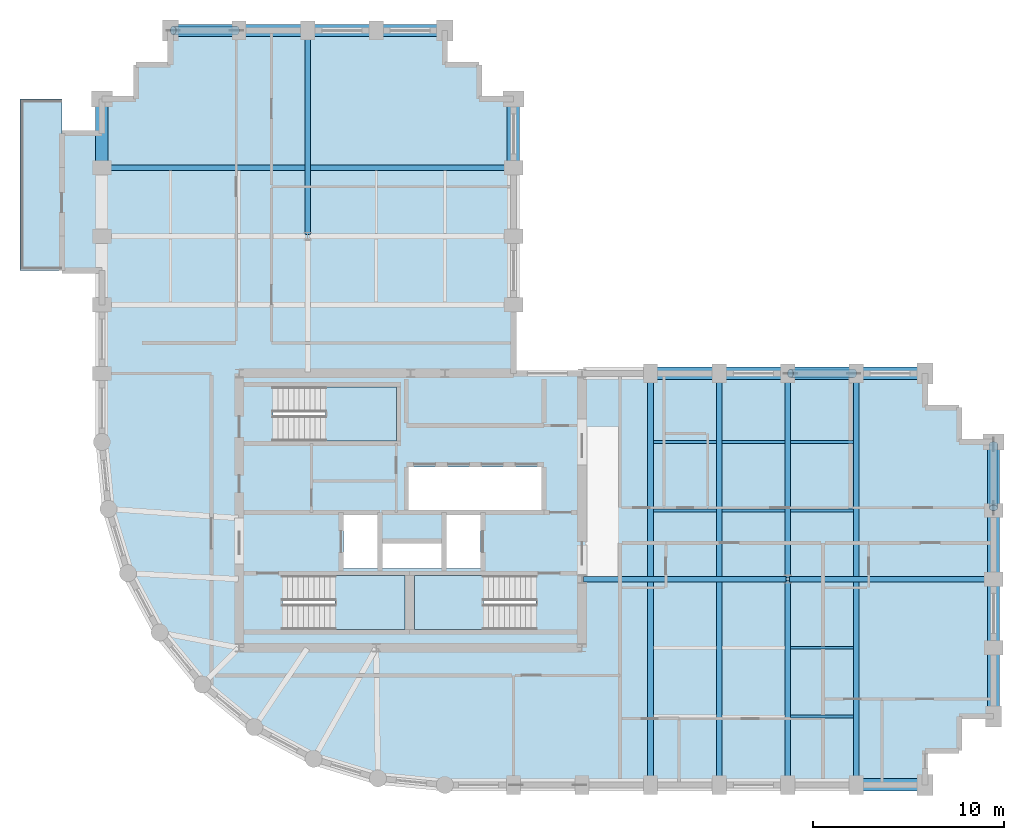
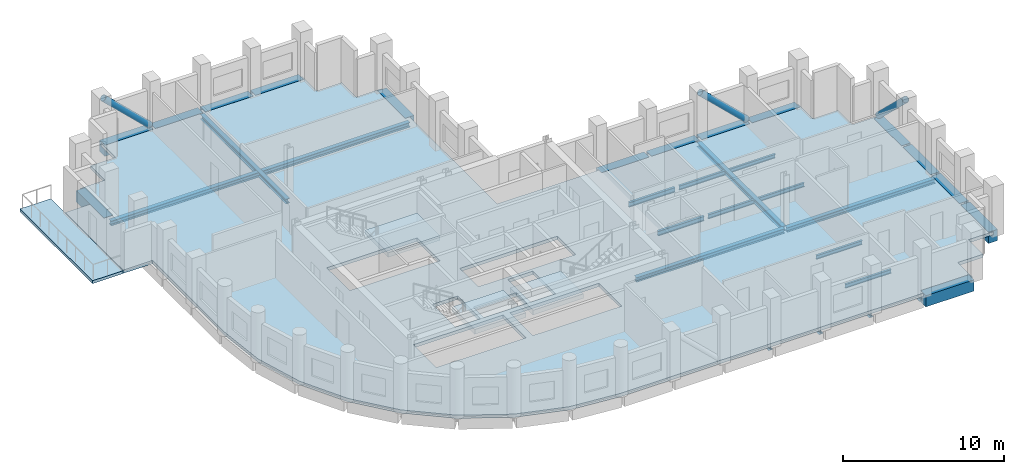
# One storey, part 2 of 9: 32 beams, 5 slabs, 3 members, 3 elements without a shape of their own.
"""IFC4 building model written with IfcOpenShell, lengths in metres."""

from ifc_helpers import new_model, si_unit, direction, frame, origin, origin_2d, place, context, subcontext, project, spatial, polyline, rectangle, hollow_circle, i_section, outline, extrude, material, layer, layer_set, material_profile, profile_set, type_object, element, aggregate, save


model = new_model("IFC4")

# Units and contexts
model_context = context("Model", 3, precision=1e-05, world=origin(), true_north=direction((0.0, 1.0)))
body_context = subcontext(model_context, "Body", "Model", "MODEL_VIEW")
ifc_project = project(units=[si_unit("LENGTHUNIT", "METRE"), si_unit("AREAUNIT", "SQUARE_METRE"), si_unit("VOLUMEUNIT", "CUBIC_METRE"), si_unit("PLANEANGLEUNIT", "RADIAN"), si_unit("MASSUNIT", "GRAM", prefix="KILO")], contexts=[model_context])

# Site, building, storey
site_placement = place(None, origin())
site = spatial("IfcSite", under=ifc_project, at=site_placement, CompositionType="ELEMENT")
building_placement = place(site_placement, origin())
building = spatial("IfcBuilding", under=site, at=building_placement, Name="Solnavia Interchange Tower", CompositionType="ELEMENT")
storey_placement = place(building_placement, frame((0.0, 0.0, 154.199951171875)))
storey = spatial("IfcBuildingStorey", under=building, at=storey_placement, Name="L38", CompositionType="ELEMENT", Elevation=154.199951171875)

# Beams
ifc_material_1 = material(Name="Steel S460", Category="steel")
ifc_material_profile_1 = material_profile(ifc_material_1, i_section(OverallWidth=0.300048828125, OverallDepth=0.360107421875, WebThickness=0.012451171875, FlangeThickness=0.0224609375, FilletRadius=0.027099609375, at=origin_2d()), Name="HEB 360")
ifc_profile_set_1 = profile_set([ifc_material_profile_1], Name="Steel S460")
beam_type_1 = type_object("IfcBeamType", Name="Beam-Girder-HEB360", PredefinedType="BEAM", material=ifc_profile_set_1)
beam_1_placement = place(storey_placement, frame((32.47998046875, 14.39990234375, -0.429931640625), z_axis=(1.0, 0.0, 0.0), x_axis=(0.0, 1.0, 0.0)))
element("IfcBeam", 1, at=beam_1_placement, inside=storey, type_object=beam_type_1, Name="GRD-L38-ES01 East wing spine girder", PredefinedType="BEAM", context=body_context, shape_type="SweptSolid", body=[
    extrude(i_section(OverallWidth=0.300048828125, OverallDepth=0.360107421875, WebThickness=0.012451171875, FlangeThickness=0.0224609375, FilletRadius=0.027099609375, at=origin_2d()), origin(), (0.0, 0.0, 1.0), 10.64013671875),
])
beam_2_placement = place(storey_placement, frame((43.280029296875, 14.39990234375, -0.429931640625), z_axis=(1.0, 0.0, 0.0), x_axis=(0.0, 1.0, 0.0)))
element("IfcBeam", 2, at=beam_2_placement, inside=storey, type_object=beam_type_1, Name="GRD-L38-ES02 East wing spine girder", PredefinedType="BEAM", context=body_context, shape_type="SweptSolid", body=[
    extrude(i_section(OverallWidth=0.300048828125, OverallDepth=0.360107421875, WebThickness=0.012451171875, FlangeThickness=0.0224609375, FilletRadius=0.027099609375, at=origin_2d()), origin(), (0.0, 0.0, 1.0), 10.639892578125),
])
for number, where, z_axis, x_axis, name in (
    (3, (39.60009765625, 3.679931640625, -0.429931640625), (0.0, 1.0, 0.0), (-1.0, 0.0, 0.0), "GRD-L38-EW04 East wing primary floor girder"),
    (4, (46.800048828125, 3.679931640625, -0.429931640625), (0.0, 1.0, 0.0), (-1.0, 0.0, 0.0), "GRD-L38-EW07 East wing primary floor girder"),
):
    element("IfcBeam", number, at=place(storey_placement, frame(where, z_axis=z_axis, x_axis=x_axis)), inside=storey, type_object=beam_type_1, Name=name, PredefinedType="BEAM", context=body_context, shape_type="SweptSolid", body=[
        extrude(i_section(OverallWidth=0.300048828125, OverallDepth=0.360107421875, WebThickness=0.012451171875, FlangeThickness=0.0224609375, FilletRadius=0.027099609375, at=origin_2d()), origin(), (0.0, 0.0, 1.0), 21.440185546875),
    ])
beam_3_placement = place(storey_placement, frame((18.0, 32.47998046875, -0.429931640625), z_axis=(0.0, 1.0, 0.0), x_axis=(-1.0, 0.0, 0.0)))
element("IfcBeam", 5, at=beam_3_placement, inside=storey, type_object=beam_type_1, Name="GRD-L38-NS09 North wing spine girder", PredefinedType="BEAM", context=body_context, shape_type="SweptSolid", body=[
    extrude(i_section(OverallWidth=0.300048828125, OverallDepth=0.360107421875, WebThickness=0.012451171875, FlangeThickness=0.0224609375, FilletRadius=0.027099609375, at=origin_2d()), origin(), (0.0, 0.0, 1.0), 10.64013671875),
])
beam_4_placement = place(storey_placement, frame((7.280029296875, 36.0, -0.429931640625), z_axis=(1.0, 0.0, 0.0), x_axis=(0.0, 1.0, 0.0)))
element("IfcBeam", 6, at=beam_4_placement, inside=storey, type_object=beam_type_1, Name="GRD-L38-NW13 North wing primary floor girder", PredefinedType="BEAM", context=body_context, shape_type="SweptSolid", body=[
    extrude(i_section(OverallWidth=0.300048828125, OverallDepth=0.360107421875, WebThickness=0.012451171875, FlangeThickness=0.0224609375, FilletRadius=0.027099609375, at=origin_2d()), origin(), (0.0, 0.0, 1.0), 21.43994140625),
])
ifc_material_2 = material(Name="Steel S355", Category="steel")
ifc_material_profile_2 = material_profile(ifc_material_2, i_section(OverallWidth=0.14990234375, OverallDepth=0.300048828125, WebThickness=0.007080078125, FlangeThickness=0.0107421875, FilletRadius=0.014892578125, at=origin_2d()), Name="IPE 300")
ifc_profile_set_2 = profile_set([ifc_material_profile_2], Name="Steel S355")
beam_type_2 = type_object("IfcBeamType", Name="Beam-Joist-IPE300", PredefinedType="JOIST", material=ifc_profile_set_2)
for number, where, z_axis, x_axis, name in (
    (7, (43.35009765625, 7.199951171875, -0.39990234375), (1.0, 0.0, 0.0), (0.0, 1.0, 0.0), "JST-L38-E03 East wing secondary joist"),
    (8, (43.35009765625, 10.800048828125, -0.39990234375), (1.0, 0.0, 0.0), (0.0, 1.0, 0.0), "JST-L38-E06 East wing secondary joist"),
    (9, (43.35009765625, 18.0, -0.39990234375), (1.0, 0.0, 0.0), (0.0, 1.0, 0.0), "JST-L38-E09 East wing secondary joist"),
    (10, (43.35009765625, 21.60009765625, -0.39990234375), (1.0, 0.0, 0.0), (0.0, 1.0, 0.0), "JST-L38-E12 East wing secondary joist"),
):
    element("IfcBeam", number, at=place(storey_placement, frame(where, z_axis=z_axis, x_axis=x_axis)), inside=storey, type_object=beam_type_2, Name=name, PredefinedType="JOIST", context=body_context, shape_type="SweptSolid", body=[
        extrude(i_section(OverallWidth=0.14990234375, OverallDepth=0.300048828125, WebThickness=0.007080078125, FlangeThickness=0.0107421875, FilletRadius=0.014892578125, at=origin_2d()), origin(), (0.0, 0.0, 1.0), 3.2998046875),
    ])
ifc_material_profile_3 = material_profile(ifc_material_2, i_section(OverallWidth=0.159912109375, OverallDepth=0.330078125, WebThickness=0.007568359375, FlangeThickness=0.011474609375, FilletRadius=0.01806640625, at=origin_2d()), Name="IPE 330")
ifc_profile_set_3 = profile_set([ifc_material_profile_3], Name="Steel S355")
beam_type_3 = type_object("IfcBeamType", Name="Beam-Joist-IPE330", PredefinedType="JOIST", material=ifc_profile_set_3)
for number, where, z_axis, x_axis, name in (
    (11, (39.75, 18.0, -0.4150390625), (1.0, 0.0, 0.0), (0.0, 1.0, 0.0), "JST-L38-E08 East wing secondary joist"),
    (12, (39.75, 21.60009765625, -0.4150390625), (1.0, 0.0, 0.0), (0.0, 1.0, 0.0), "JST-L38-E11 East wing secondary joist"),
):
    element("IfcBeam", number, at=place(storey_placement, frame(where, z_axis=z_axis, x_axis=x_axis)), inside=storey, type_object=beam_type_3, Name=name, PredefinedType="JOIST", context=body_context, shape_type="SweptSolid", body=[
        extrude(i_section(OverallWidth=0.159912109375, OverallDepth=0.330078125, WebThickness=0.007568359375, FlangeThickness=0.011474609375, FilletRadius=0.01806640625, at=origin_2d()), origin(), (0.0, 0.0, 1.0), 3.300048828125),
    ])
ifc_material_profile_4 = material_profile(ifc_material_2, i_section(OverallWidth=0.169921875, OverallDepth=0.360107421875, WebThickness=0.008056640625, FlangeThickness=0.0126953125, FilletRadius=0.01806640625, at=origin_2d()), Name="IPE 360")
ifc_profile_set_4 = profile_set([ifc_material_profile_4], Name="Steel S355")
beam_type_4 = type_object("IfcBeamType", Name="Beam-Joist-IPE360", PredefinedType="JOIST", material=ifc_profile_set_4)
for number, where, z_axis, x_axis, name in (
    (13, (36.14990234375, 18.0, -0.429931640625), (1.0, 0.0, 0.0), (0.0, 1.0, 0.0), "JST-L38-E07 East wing secondary joist"),
    (14, (36.14990234375, 21.60009765625, -0.429931640625), (1.0, 0.0, 0.0), (0.0, 1.0, 0.0), "JST-L38-E10 East wing secondary joist"),
):
    element("IfcBeam", number, at=place(storey_placement, frame(where, z_axis=z_axis, x_axis=x_axis)), inside=storey, type_object=beam_type_4, Name=name, PredefinedType="JOIST", context=body_context, shape_type="SweptSolid", body=[
        extrude(i_section(OverallWidth=0.169921875, OverallDepth=0.360107421875, WebThickness=0.008056640625, FlangeThickness=0.0126953125, FilletRadius=0.01806640625, at=origin_2d()), origin(), (0.0, 0.0, 1.0), 3.300048828125),
    ])
ifc_material_profile_5 = material_profile(ifc_material_2, i_section(OverallWidth=0.300048828125, OverallDepth=0.31005859375, WebThickness=0.009033203125, FlangeThickness=0.015380859375, FilletRadius=0.027099609375, at=origin_2d()), Name="HEA 320")
ifc_profile_set_5 = profile_set([ifc_material_profile_5], Name="Steel S355")
beam_type_5 = type_object("IfcBeamType", Name="Beam-Primary-HEA320", PredefinedType="BEAM", material=ifc_profile_set_5)
beam_5_placement = place(storey_placement, frame((36.0, 3.679931640625, -0.405029296875), z_axis=(0.0, 1.0, 0.0), x_axis=(-1.0, 0.0, 0.0)))
element("IfcBeam", 15, at=beam_5_placement, inside=storey, type_object=beam_type_5, Name="GRD-L38-EW03 East wing primary floor girder", PredefinedType="BEAM", context=body_context, shape_type="SweptSolid", body=[
    extrude(i_section(OverallWidth=0.300048828125, OverallDepth=0.31005859375, WebThickness=0.009033203125, FlangeThickness=0.015380859375, FilletRadius=0.027099609375, at=origin_2d()), origin(), (0.0, 0.0, 1.0), 21.440185546875),
])
ifc_material_profile_6 = material_profile(ifc_material_2, i_section(OverallWidth=0.300048828125, OverallDepth=0.35009765625, WebThickness=0.010009765625, FlangeThickness=0.017578125, FilletRadius=0.027099609375, at=origin_2d()), Name="HEA 360")
ifc_profile_set_6 = profile_set([ifc_material_profile_6], Name="Steel S355")
beam_type_6 = type_object("IfcBeamType", Name="Beam-Primary-HEA360", PredefinedType="BEAM", material=ifc_profile_set_6)
for number, where, z_axis, x_axis, name in (
    (16, (43.199951171875, 3.679931640625, -0.425048828125), (0.0, 1.0, 0.0), (-1.0, 0.0, 0.0), "GRD-L38-EW05 East wing primary floor girder"),
    (17, (43.199951171875, 14.47998046875, -0.425048828125), (0.0, 1.0, 0.0), (-1.0, 0.0, 0.0), "GRD-L38-EW06 East wing primary floor girder"),
):
    element("IfcBeam", number, at=place(storey_placement, frame(where, z_axis=z_axis, x_axis=x_axis)), inside=storey, type_object=beam_type_6, Name=name, PredefinedType="BEAM", context=body_context, shape_type="SweptSolid", body=[
        extrude(i_section(OverallWidth=0.300048828125, OverallDepth=0.35009765625, WebThickness=0.010009765625, FlangeThickness=0.017578125, FilletRadius=0.027099609375, at=origin_2d()), origin(), (0.0, 0.0, 1.0), 10.64013671875),
    ])
ifc_material_3 = material(Name="Concrete C50/60", Category="concrete")
ifc_material_profile_7 = material_profile(ifc_material_3, rectangle(XDim=0.64990234375, YDim=0.85009765625, at=origin_2d()), Name="RC 650x850")
ifc_profile_set_7 = profile_set([ifc_material_profile_7], Name="Concrete C50/60")
beam_type_7 = type_object("IfcBeamType", Name="Beam-Spandrel-RC650x850", PredefinedType="SPANDREL", material=ifc_profile_set_7)
beam_6_placement = place(storey_placement, frame((46.8798828125, 3.60009765625, -0.425048828125), z_axis=(1.0, 0.0, 0.0), x_axis=(0.0, 1.0, 0.0)))
element("IfcBeam", 18, at=beam_6_placement, inside=storey, type_object=beam_type_7, Name="SPB-L38-15 Framed-tube perimeter spandrel beam", PredefinedType="SPANDREL", context=body_context, shape_type="SweptSolid", body=[
    extrude(rectangle(XDim=0.64990234375, YDim=0.85009765625, at=origin_2d()), origin(), (0.0, 0.0, 1.0), 3.440185546875),
])
beam_7_placement = place(storey_placement, frame((54.0, 7.280029296875, -0.425048828125), z_axis=(0.0, 1.0, 0.0), x_axis=(-1.0, 0.0, 0.0)))
element("IfcBeam", 19, at=beam_7_placement, inside=storey, type_object=beam_type_7, Name="SPB-L38-16 Framed-tube perimeter spandrel beam", PredefinedType="SPANDREL", context=body_context, shape_type="SweptSolid", body=[
    extrude(rectangle(XDim=0.64990234375, YDim=0.85009765625, at=origin_2d()), origin(), (0.0, 0.0, 1.0), 3.43994140625),
])
beam_8_placement = place(storey_placement, frame((54.0, 10.8798828125, -0.425048828125), z_axis=(0.0, 1.0, 0.0), x_axis=(-1.0, 0.0, 0.0)))
element("IfcBeam", 20, at=beam_8_placement, inside=storey, type_object=beam_type_7, Name="SPB-L38-17 Framed-tube perimeter spandrel beam", PredefinedType="SPANDREL", context=body_context, shape_type="SweptSolid", body=[
    extrude(rectangle(XDim=0.64990234375, YDim=0.85009765625, at=origin_2d()), origin(), (0.0, 0.0, 1.0), 3.440185546875),
])
for number, where, z_axis, x_axis, name in (
    (21, (54.0, 14.47998046875, -0.425048828125), (0.0, 1.0, 0.0), (-1.0, 0.0, 0.0), "SPB-L38-18 Framed-tube perimeter spandrel beam"),
    (22, (54.0, 18.080078125, -0.425048828125), (0.0, 1.0, 0.0), (-1.0, 0.0, 0.0), "SPB-L38-19 Framed-tube perimeter spandrel beam"),
):
    element("IfcBeam", number, at=place(storey_placement, frame(where, z_axis=z_axis, x_axis=x_axis)), inside=storey, type_object=beam_type_7, Name=name, PredefinedType="SPANDREL", context=body_context, shape_type="SweptSolid", body=[
        extrude(rectangle(XDim=0.64990234375, YDim=0.85009765625, at=origin_2d()), origin(), (0.0, 0.0, 1.0), 3.43994140625),
    ])
beam_9_placement = place(storey_placement, frame((50.320068359375, 25.199951171875, -0.425048828125), z_axis=(-1.0, 0.0, 0.0), x_axis=(0.0, -1.0, 0.0)))
element("IfcBeam", 23, at=beam_9_placement, inside=storey, type_object=beam_type_7, Name="SPB-L38-20 Framed-tube perimeter spandrel beam", PredefinedType="SPANDREL", context=body_context, shape_type="SweptSolid", body=[
    extrude(rectangle(XDim=0.64990234375, YDim=0.85009765625, at=origin_2d()), origin(), (0.0, 0.0, 1.0), 3.440185546875),
])
beam_10_placement = place(storey_placement, frame((46.719970703125, 25.199951171875, -0.425048828125), z_axis=(-1.0, 0.0, 0.0), x_axis=(0.0, -1.0, 0.0)))
element("IfcBeam", 24, at=beam_10_placement, inside=storey, type_object=beam_type_7, Name="SPB-L38-21 Framed-tube perimeter spandrel beam", PredefinedType="SPANDREL", context=body_context, shape_type="SweptSolid", body=[
    extrude(rectangle(XDim=0.64990234375, YDim=0.85009765625, at=origin_2d()), origin(), (0.0, 0.0, 1.0), 3.43994140625),
])
beam_11_placement = place(storey_placement, frame((43.1201171875, 25.199951171875, -0.425048828125), z_axis=(-1.0, 0.0, 0.0), x_axis=(0.0, -1.0, 0.0)))
element("IfcBeam", 25, at=beam_11_placement, inside=storey, type_object=beam_type_7, Name="SPB-L38-22 Framed-tube perimeter spandrel beam", PredefinedType="SPANDREL", context=body_context, shape_type="SweptSolid", body=[
    extrude(rectangle(XDim=0.64990234375, YDim=0.85009765625, at=origin_2d()), origin(), (0.0, 0.0, 1.0), 3.440185546875),
])
for number, where, z_axis, x_axis, name in (
    (26, (39.52001953125, 25.199951171875, -0.425048828125), (-1.0, 0.0, 0.0), (0.0, -1.0, 0.0), "SPB-L38-23 Framed-tube perimeter spandrel beam"),
    (27, (28.800048828125, 36.080078125, -0.425048828125), (0.0, 1.0, 0.0), (-1.0, 0.0, 0.0), "SPB-L38-27 Framed-tube perimeter spandrel beam"),
):
    element("IfcBeam", number, at=place(storey_placement, frame(where, z_axis=z_axis, x_axis=x_axis)), inside=storey, type_object=beam_type_7, Name=name, PredefinedType="SPANDREL", context=body_context, shape_type="SweptSolid", body=[
        extrude(rectangle(XDim=0.64990234375, YDim=0.85009765625, at=origin_2d()), origin(), (0.0, 0.0, 1.0), 3.43994140625),
    ])
beam_12_placement = place(storey_placement, frame((25.1201171875, 43.199951171875, -0.425048828125), z_axis=(-1.0, 0.0, 0.0), x_axis=(0.0, -1.0, 0.0)))
element("IfcBeam", 28, at=beam_12_placement, inside=storey, type_object=beam_type_7, Name="SPB-L38-28 Framed-tube perimeter spandrel beam", PredefinedType="SPANDREL", context=body_context, shape_type="SweptSolid", body=[
    extrude(rectangle(XDim=0.64990234375, YDim=0.85009765625, at=origin_2d()), origin(), (0.0, 0.0, 1.0), 3.440185546875),
])
for number, where, z_axis, x_axis, name in (
    (29, (21.52001953125, 43.199951171875, -0.425048828125), (-1.0, 0.0, 0.0), (0.0, -1.0, 0.0), "SPB-L38-29 Framed-tube perimeter spandrel beam"),
    (30, (17.919921875, 43.199951171875, -0.425048828125), (-1.0, 0.0, 0.0), (0.0, -1.0, 0.0), "SPB-L38-30 Framed-tube perimeter spandrel beam"),
):
    element("IfcBeam", number, at=place(storey_placement, frame(where, z_axis=z_axis, x_axis=x_axis)), inside=storey, type_object=beam_type_7, Name=name, PredefinedType="SPANDREL", context=body_context, shape_type="SweptSolid", body=[
        extrude(rectangle(XDim=0.64990234375, YDim=0.85009765625, at=origin_2d()), origin(), (0.0, 0.0, 1.0), 3.43994140625),
    ])
beam_13_placement = place(storey_placement, frame((14.320068359375, 43.199951171875, -0.425048828125), z_axis=(-1.0, 0.0, 0.0), x_axis=(0.0, -1.0, 0.0)))
element("IfcBeam", 31, at=beam_13_placement, inside=storey, type_object=beam_type_7, Name="SPB-L38-31 Framed-tube perimeter spandrel beam", PredefinedType="SPANDREL", context=body_context, shape_type="SweptSolid", body=[
    extrude(rectangle(XDim=0.64990234375, YDim=0.85009765625, at=origin_2d()), origin(), (0.0, 0.0, 1.0), 3.440185546875),
])
beam_14_placement = place(storey_placement, frame((7.199951171875, 39.52001953125, -0.425048828125), z_axis=(0.0, -1.0, 0.0), x_axis=(1.0, 0.0, 0.0)))
element("IfcBeam", 32, at=beam_14_placement, inside=storey, type_object=beam_type_7, Name="SPB-L38-32 Framed-tube perimeter spandrel beam", PredefinedType="SPANDREL", context=body_context, shape_type="SweptSolid", body=[
    extrude(rectangle(XDim=0.64990234375, YDim=0.85009765625, at=origin_2d()), origin(), (0.0, 0.0, 1.0), 3.43994140625),
])

# Members
ifc_material_profile_8 = material_profile(ifc_material_1, hollow_circle(Radius=0.228515625, WallThickness=0.02001953125, at=origin_2d()), Name="CHS 457x20")
ifc_profile_set_8 = profile_set([ifc_material_profile_8], Name="Steel S460")
member_type = type_object("IfcMemberType", Name="Brace-Perim-CHS457", PredefinedType="BRACE", material=ifc_profile_set_8)
for number, where, z_axis, x_axis, name in (
    (33, (54.0, 21.4599609375, 0.179931640625), (0.0, -0.721070427335, 0.692861774688), (1.0, 0.0, 0.0), "BRC-L38-02 Perimeter tube diagonal brace"),
    (34, (14.260009765625, 43.199951171875, 0.179931640625), (-0.721070427335, 0.0, 0.692861774688), (0.0, -1.0, 0.0), "BRC-L38-03 Perimeter tube diagonal brace"),
    (35, (46.659912109375, 25.199951171875, 0.179931640625), (-0.721044971413, 0.0, 0.692888266028), (0.0, -1.0, 0.0), "BRC-L38-04 Perimeter tube diagonal brace"),
):
    element("IfcMember", number, at=place(storey_placement, frame(where, z_axis=z_axis, x_axis=x_axis)), inside=storey, type_object=member_type, Name=name, PredefinedType="BRACE", context=body_context, shape_type="SweptSolid", body=[
        extrude(hollow_circle(Radius=0.228515625, WallThickness=0.02001953125, at=origin_2d()), origin(), (0.0, 0.0, 1.0), 4.604248046875),
    ])

# Stair, slab
ifc_material_4 = material(Name="Concrete C40/50", Category="concrete")
stair_type = type_object("IfcStairType", Name="Stair-Dogleg-RC", PredefinedType="HALF_TURN_STAIR", material=ifc_material_4)
stair_1_placement = place(storey_placement, origin())
stair_1 = element("IfcStair", 36, at=stair_1_placement, inside=storey, type_object=stair_type, Name="L38 Core exit stair 1", PredefinedType="HALF_TURN_STAIR")
ifc_layer_1 = layer(ifc_material_4, 0.35009765625)
ifc_layer_set_1 = layer_set([ifc_layer_1], Name="Concrete C40/50")
slab_type_1 = type_object("IfcSlabType", Name="Slab-StairLanding-350", PredefinedType="LANDING", material=ifc_layer_set_1)
slab_1_placement = place(storey_placement, frame((0.0, 0.0, 1.550048828125)))
slab_1 = element("IfcSlab", 37, at=slab_1_placement, type_object=slab_type_1, Name="ST-1 landing 1", PredefinedType="LANDING", context=body_context, shape_type="SweptSolid", body=[
    extrude(outline(polyline([(19.427978515625, 11.75), (23.10009765625, 11.75), (23.10009765625, 14.590087890625), (19.427978515625, 14.590087890625), (19.427978515625, 11.75)])), origin(), (0.0, 0.0, 1.0), 0.35009765625),
])
aggregate(stair_1, [slab_1])

stair_2_placement = place(storey_placement, origin())
stair_2 = element("IfcStair", 38, at=stair_2_placement, inside=storey, type_object=stair_type, Name="L38 Core exit stair 2", PredefinedType="HALF_TURN_STAIR")
slab_2_placement = place(storey_placement, frame((0.0, 0.0, 1.550048828125)))
slab_2 = element("IfcSlab", 39, at=slab_2_placement, type_object=slab_type_1, Name="ST-2 landing 1", PredefinedType="LANDING", context=body_context, shape_type="SweptSolid", body=[
    extrude(outline(polyline([(23.60009765625, 11.75), (27.221923828125, 11.75), (27.221923828125, 14.590087890625), (23.60009765625, 14.590087890625), (23.60009765625, 11.75)])), origin(), (0.0, 0.0, 1.0), 0.35009765625),
])
aggregate(stair_2, [slab_2])

stair_3_placement = place(storey_placement, origin())
stair_3 = element("IfcStair", 40, at=stair_3_placement, inside=storey, type_object=stair_type, Name="L38 Core exit stair 3", PredefinedType="HALF_TURN_STAIR")
slab_3_placement = place(storey_placement, frame((0.0, 0.0, 1.550048828125)))
slab_3 = element("IfcSlab", 41, at=slab_3_placement, type_object=slab_type_1, Name="ST-3 landing 1", PredefinedType="LANDING", context=body_context, shape_type="SweptSolid", body=[
    extrude(outline(polyline([(18.927978515625, 21.64990234375), (22.64990234375, 21.64990234375), (22.64990234375, 24.489990234375), (18.927978515625, 24.489990234375), (18.927978515625, 21.64990234375)])), origin(), (0.0, 0.0, 1.0), 0.35009765625),
])
aggregate(stair_3, [slab_3])

# Slabs
ifc_layer_2 = layer(ifc_material_4, 0.219970703125)
ifc_layer_set_2 = layer_set([ifc_layer_2], Name="Concrete C40/50")
slab_type_2 = type_object("IfcSlabType", Name="Slab-Terrace-220", PredefinedType="FLOOR", material=ifc_layer_set_2)
slab_4_placement = place(storey_placement, frame((0.0, 0.0, -0.260009765625)))
element("IfcSlab", 42, at=slab_4_placement, inside=storey, type_object=slab_type_2, Name="TER-L38-01 Outdoor spiral terrace slab", PredefinedType="FLOOR", context=body_context, shape_type="SweptSolid", body=[
    extrude(outline(polyline([(2.89990234375, 30.60009765625), (5.10009765625, 30.60009765625), (5.10009765625, 39.60009765625), (2.89990234375, 39.60009765625), (2.89990234375, 30.60009765625)])), origin(), (0.0, 0.0, 1.0), 0.219970703125),
])
ifc_layer_3 = layer(ifc_material_4, 0.25)
ifc_layer_set_3 = layer_set([ifc_layer_3], Name="Concrete C40/50")
slab_type_3 = type_object("IfcSlabType", Name="Slab-Tower-250", PredefinedType="FLOOR", material=ifc_layer_set_3)
slab_5_placement = place(storey_placement, frame((0.0, 0.0, -0.25)))
element("IfcSlab", 43, at=slab_5_placement, inside=storey, type_object=slab_type_3, Name="SLB-L38-01 Structural floor slab", PredefinedType="FLOOR", context=body_context, shape_type="SweptSolid", body=[
    extrude(outline(polyline([(25.199951171875, 3.60009765625), (50.39990234375, 3.60009765625), (50.39990234375, 5.39990234375), (52.199951171875, 5.39990234375), (52.199951171875, 7.199951171875), (54.0, 7.199951171875), (54.0, 21.60009765625), (52.199951171875, 21.60009765625), (52.199951171875, 23.39990234375), (50.39990234375, 23.39990234375), (50.39990234375, 25.199951171875), (28.800048828125, 25.199951171875), (28.800048828125, 39.60009765625), (27.0, 39.60009765625), (27.0, 41.39990234375), (25.199951171875, 41.39990234375), (25.199951171875, 43.199951171875), (10.800048828125, 43.199951171875), (10.800048828125, 41.39990234375), (9.0, 41.39990234375), (9.0, 39.60009765625), (7.199951171875, 39.60009765625), (7.199951171875, 37.800048828125), (5.10009765625, 37.800048828125), (5.10009765625, 30.60009765625), (7.199951171875, 30.60009765625), (7.199951171875, 21.60009765625), (7.5458984375, 18.087890625), (8.570068359375, 14.7119140625), (10.23388671875, 11.60009765625), (12.471923828125, 8.8720703125), (15.199951171875, 6.634033203125), (18.31201171875, 4.969970703125), (21.68798828125, 3.946044921875), (25.199951171875, 3.60009765625)]), holes=[polyline([(16.675048828125, 11.75), (23.10009765625, 11.75), (23.10009765625, 14.590087890625), (16.675048828125, 14.590087890625), (16.675048828125, 11.75)]), polyline([(23.60009765625, 11.75), (29.97509765625, 11.75), (29.97509765625, 14.590087890625), (23.60009765625, 14.590087890625), (23.60009765625, 11.75)]), polyline([(16.175048828125, 21.64990234375), (22.64990234375, 21.64990234375), (22.64990234375, 24.489990234375), (16.175048828125, 24.489990234375), (16.175048828125, 21.64990234375)]), polyline([(19.8798828125, 14.9599609375), (21.679931640625, 14.9599609375), (21.679931640625, 17.780029296875), (19.8798828125, 17.780029296875), (19.8798828125, 14.9599609375)]), polyline([(25.280029296875, 14.9599609375), (27.080078125, 14.9599609375), (27.080078125, 17.780029296875), (25.280029296875, 17.780029296875), (25.280029296875, 14.9599609375)]), polyline([(21.919921875, 14.9599609375), (25.02001953125, 14.9599609375), (25.02001953125, 16.280029296875), (21.919921875, 16.280029296875), (21.919921875, 14.9599609375)]), polyline([(23.300048828125, 18.02001953125), (30.280029296875, 18.02001953125), (30.280029296875, 20.300048828125), (23.300048828125, 20.300048828125), (23.300048828125, 18.02001953125)])]), origin(), (0.0, 0.0, 1.0), 0.25),
])

save(model, "model.ifc")
